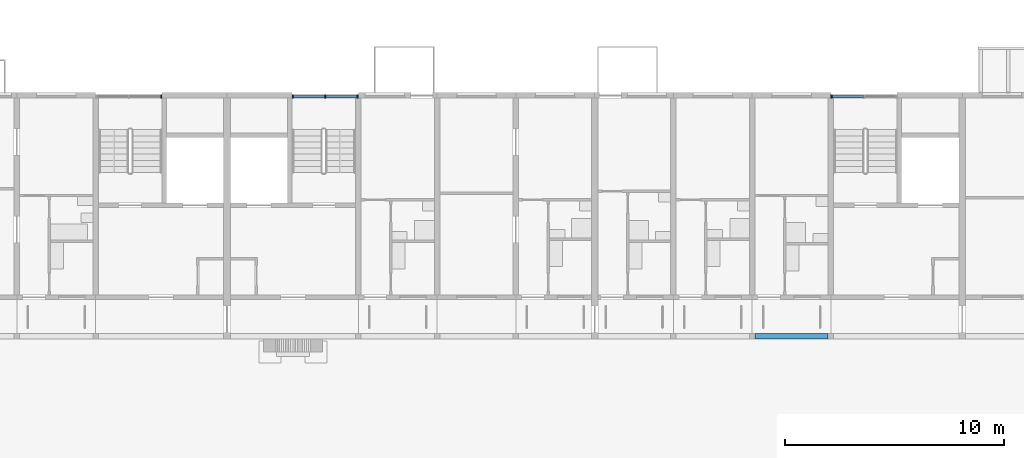
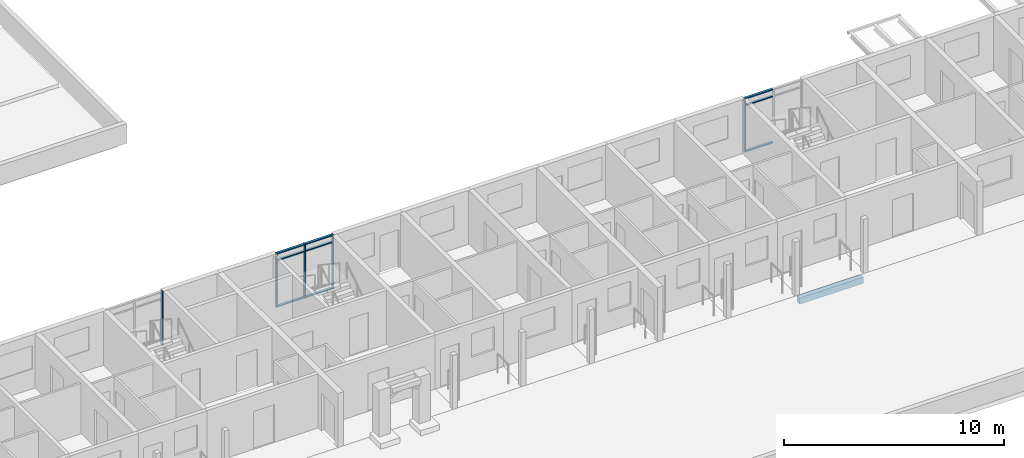
# One storey, part 21 of 115: 14 members, 1 beam, 3 elements without a shape of their own.
"""IFC4 building model written with IfcOpenShell, lengths in metres."""

from ifc_helpers import new_model, si_unit, direction, frame, origin, origin_2d, place, context, subcontext, project, spatial, rectangle, extrude, material, material_profile, profile_set, type_object, element, aggregate, save


model = new_model("IFC4")

# Units and contexts
model_context = context("Model", 3, precision=1e-05, world=origin(), true_north=direction((0.0, 1.0)))
body_context = subcontext(model_context, "Body", "Model", "MODEL_VIEW")
ifc_project = project(units=[si_unit("LENGTHUNIT", "METRE"), si_unit("AREAUNIT", "SQUARE_METRE"), si_unit("VOLUMEUNIT", "CUBIC_METRE"), si_unit("PLANEANGLEUNIT", "RADIAN"), si_unit("MASSUNIT", "GRAM", prefix="KILO")], contexts=[model_context])

# Site, building, storey
site_placement = place(None, origin())
site = spatial("IfcSite", under=ifc_project, at=site_placement, CompositionType="ELEMENT")
building_placement = place(site_placement, origin())
building = spatial("IfcBuilding", under=site, at=building_placement, Name="Ridgestep Commons", CompositionType="ELEMENT")
storey_placement = place(building_placement, frame((0.0, 0.0, 6.0)))
storey = spatial("IfcBuildingStorey", under=building, at=storey_placement, Name="L02", CompositionType="ELEMENT", Elevation=6.0)

# Beam
ifc_material_1 = material(Name="Precast concrete C40/50", Category="concrete")
ifc_material_profile_1 = material_profile(ifc_material_1, rectangle(XDim=0.25, YDim=0.35009765625, at=origin_2d()), Name="PC 250x350")
ifc_profile_set_1 = profile_set([ifc_material_profile_1], Name="Precast concrete C40/50")
beam_type = type_object("IfcBeamType", Name="Loggia edge beam 250 x 350", PredefinedType="SPANDREL", material=ifc_profile_set_1)
beam_placement = place(storey_placement, frame((187.72509765625, 11.875, -0.375), z_axis=(1.0, 0.0, 0.0), x_axis=(0.0, 1.0, 0.0)))
element("IfcBeam", 1, at=beam_placement, inside=storey, type_object=beam_type, Name="Loggia edge beam D3T3 L02", PredefinedType="SPANDREL", context=body_context, shape_type="SweptSolid", body=[
    extrude(rectangle(XDim=0.25, YDim=0.35009765625, at=origin_2d()), origin(), (0.0, 0.0, 1.0), 3.349853515625),
])

# Curtain wall, member
ifc_material_2 = material(Name="Aluminium 6063-T6 and glass", Category="aluminium")
curtain_wall_type = type_object("IfcCurtainWallType", Name="Curtain wall stair strip", PredefinedType="NOTDEFINED", material=ifc_material_2)
curtain_wall_1_placement = place(storey_placement, origin())
curtain_wall_1 = element("IfcCurtainWall", 2, at=curtain_wall_1_placement, inside=storey, type_object=curtain_wall_type, Name="Curtain wall D1C level 02", PredefinedType="NOTDEFINED")
ifc_material_3 = material(Name="Aluminium 6063-T6", Category="aluminium")
ifc_material_profile_2 = material_profile(ifc_material_3, rectangle(XDim=0.159912109375, YDim=0.06005859375, at=origin_2d()), Name="Mullion 60 x 160")
ifc_profile_set_2 = profile_set([ifc_material_profile_2], Name="Aluminium 6063-T6")
member_type_1 = type_object("IfcMemberType", Name="Mullion 60 x 160", PredefinedType="MULLION", material=ifc_profile_set_2)
member_1_placement = place(storey_placement, frame((160.594970703125, 22.830078125, 0.0), z_axis=(0.0, 0.0, 1.0), x_axis=(0.0, 1.0, 0.0)))
member_1 = element("IfcMember", 3, at=member_1_placement, type_object=member_type_1, Name="CW1 mullion 3", PredefinedType="MULLION", context=body_context, shape_type="SweptSolid", body=[
    extrude(rectangle(XDim=0.159912109375, YDim=0.06005859375, at=origin_2d()), origin(), (0.0, 0.0, 1.0), 3.0),
])
aggregate(curtain_wall_1, [member_1])

# Curtain wall, members
curtain_wall_2_placement = place(storey_placement, origin())
curtain_wall_2 = element("IfcCurtainWall", 4, at=curtain_wall_2_placement, inside=storey, type_object=curtain_wall_type, Name="Curtain wall D2C level 02", PredefinedType="NOTDEFINED")
member_2_placement = place(storey_placement, frame((166.60498046875, 22.830078125, 0.0), z_axis=(0.0, 0.0, 1.0), x_axis=(0.0, 1.0, 0.0)))
member_2 = element("IfcMember", 5, at=member_2_placement, type_object=member_type_1, Name="CW1 mullion 1", PredefinedType="MULLION", context=body_context, shape_type="SweptSolid", body=[
    extrude(rectangle(XDim=0.159912109375, YDim=0.06005859375, at=origin_2d()), origin(), (0.0, 0.0, 1.0), 3.0),
])
member_3_placement = place(storey_placement, frame((168.08740234375, 22.830078125, 0.0), z_axis=(0.0, 0.0, 1.0), x_axis=(0.0, 1.0, 0.0)))
member_3 = element("IfcMember", 6, at=member_3_placement, type_object=member_type_1, Name="CW1 mullion 2", PredefinedType="MULLION", context=body_context, shape_type="SweptSolid", body=[
    extrude(rectangle(XDim=0.159912109375, YDim=0.06005859375, at=origin_2d()), origin(), (0.0, 0.0, 1.0), 3.0),
])
member_4_placement = place(storey_placement, frame((169.570068359375, 22.830078125, 0.0), z_axis=(0.0, 0.0, 1.0), x_axis=(0.0, 1.0, 0.0)))
member_4 = element("IfcMember", 7, at=member_4_placement, type_object=member_type_1, Name="CW1 mullion 3", PredefinedType="MULLION", context=body_context, shape_type="SweptSolid", body=[
    extrude(rectangle(XDim=0.159912109375, YDim=0.06005859375, at=origin_2d()), origin(), (0.0, 0.0, 1.0), 3.0),
])

# Curtain wall, member
curtain_wall_3_placement = place(storey_placement, origin())
curtain_wall_3 = element("IfcCurtainWall", 8, at=curtain_wall_3_placement, inside=storey, type_object=curtain_wall_type, Name="Curtain wall D3C level 02", PredefinedType="NOTDEFINED")
member_5_placement = place(storey_placement, frame((191.22998046875, 22.830078125, 0.0), z_axis=(0.0, 0.0, 1.0), x_axis=(0.0, 1.0, 0.0)))
member_5 = element("IfcMember", 9, at=member_5_placement, type_object=member_type_1, Name="CW1 mullion 1", PredefinedType="MULLION", context=body_context, shape_type="SweptSolid", body=[
    extrude(rectangle(XDim=0.159912109375, YDim=0.06005859375, at=origin_2d()), origin(), (0.0, 0.0, 1.0), 3.0),
])

# Member
ifc_material_4 = material(Name="Aluminium 6063-T6", Category="aluminium")
ifc_material_profile_3 = material_profile(ifc_material_4, rectangle(XDim=0.1201171875, YDim=0.06005859375, at=origin_2d()), Name="Transom 60 x 120")
ifc_profile_set_3 = profile_set([ifc_material_profile_3], Name="Aluminium 6063-T6")
member_type_2 = type_object("IfcMemberType", Name="Transom 60 x 120", PredefinedType="USERDEFINED", material=ifc_profile_set_3)
member_6_placement = place(storey_placement, frame((166.635009765625, 22.830078125, 0.030029296875), z_axis=(1.0, 0.0, 0.0), x_axis=(0.0, 1.0, 0.0)))
member_6 = element("IfcMember", 10, at=member_6_placement, type_object=member_type_2, Name="CW1 transom 1.1", ObjectType="TRANSOM", PredefinedType="USERDEFINED", context=body_context, shape_type="SweptSolid", body=[
    extrude(rectangle(XDim=0.1201171875, YDim=0.06005859375, at=origin_2d()), origin(), (0.0, 0.0, 1.0), 1.422607421875),
])

member_7_placement = place(storey_placement, frame((166.635009765625, 22.830078125, 2.590087890625), z_axis=(1.0, 0.0, 0.0), x_axis=(0.0, 1.0, 0.0)))
member_7 = element("IfcMember", 11, at=member_7_placement, type_object=member_type_2, Name="CW1 transom 1.2", ObjectType="TRANSOM", PredefinedType="USERDEFINED", context=body_context, shape_type="SweptSolid", body=[
    extrude(rectangle(XDim=0.1201171875, YDim=0.06005859375, at=origin_2d()), origin(), (0.0, 0.0, 1.0), 1.422607421875),
])

member_8_placement = place(storey_placement, frame((166.635009765625, 22.830078125, 2.969970703125), z_axis=(1.0, 0.0, 0.0), x_axis=(0.0, 1.0, 0.0)))
member_8 = element("IfcMember", 12, at=member_8_placement, type_object=member_type_2, Name="CW1 transom 1.3", ObjectType="TRANSOM", PredefinedType="USERDEFINED", context=body_context, shape_type="SweptSolid", body=[
    extrude(rectangle(XDim=0.1201171875, YDim=0.06005859375, at=origin_2d()), origin(), (0.0, 0.0, 1.0), 1.422607421875),
])

member_9_placement = place(storey_placement, frame((168.117431640625, 22.830078125, 0.030029296875), z_axis=(1.0, 0.0, 0.0), x_axis=(0.0, 1.0, 0.0)))
member_9 = element("IfcMember", 13, at=member_9_placement, type_object=member_type_2, Name="CW1 transom 2.1", ObjectType="TRANSOM", PredefinedType="USERDEFINED", context=body_context, shape_type="SweptSolid", body=[
    extrude(rectangle(XDim=0.1201171875, YDim=0.06005859375, at=origin_2d()), origin(), (0.0, 0.0, 1.0), 1.422607421875),
])

member_10_placement = place(storey_placement, frame((168.117431640625, 22.830078125, 2.590087890625), z_axis=(1.0, 0.0, 0.0), x_axis=(0.0, 1.0, 0.0)))
member_10 = element("IfcMember", 14, at=member_10_placement, type_object=member_type_2, Name="CW1 transom 2.2", ObjectType="TRANSOM", PredefinedType="USERDEFINED", context=body_context, shape_type="SweptSolid", body=[
    extrude(rectangle(XDim=0.1201171875, YDim=0.06005859375, at=origin_2d()), origin(), (0.0, 0.0, 1.0), 1.422607421875),
])

member_11_placement = place(storey_placement, frame((168.117431640625, 22.830078125, 2.969970703125), z_axis=(1.0, 0.0, 0.0), x_axis=(0.0, 1.0, 0.0)))
member_11 = element("IfcMember", 15, at=member_11_placement, type_object=member_type_2, Name="CW1 transom 2.3", ObjectType="TRANSOM", PredefinedType="USERDEFINED", context=body_context, shape_type="SweptSolid", body=[
    extrude(rectangle(XDim=0.1201171875, YDim=0.06005859375, at=origin_2d()), origin(), (0.0, 0.0, 1.0), 1.422607421875),
])

aggregate(curtain_wall_2, [member_2, member_3, member_4, member_6, member_7, member_8, member_9, member_10, member_11])

member_12_placement = place(storey_placement, frame((191.260009765625, 22.830078125, 0.030029296875), z_axis=(1.0, 0.0, 0.0), x_axis=(0.0, 1.0, 0.0)))
member_12 = element("IfcMember", 16, at=member_12_placement, type_object=member_type_2, Name="CW1 transom 1.1", ObjectType="TRANSOM", PredefinedType="USERDEFINED", context=body_context, shape_type="SweptSolid", body=[
    extrude(rectangle(XDim=0.1201171875, YDim=0.06005859375, at=origin_2d()), origin(), (0.0, 0.0, 1.0), 1.422607421875),
])

member_13_placement = place(storey_placement, frame((191.260009765625, 22.830078125, 2.590087890625), z_axis=(1.0, 0.0, 0.0), x_axis=(0.0, 1.0, 0.0)))
member_13 = element("IfcMember", 17, at=member_13_placement, type_object=member_type_2, Name="CW1 transom 1.2", ObjectType="TRANSOM", PredefinedType="USERDEFINED", context=body_context, shape_type="SweptSolid", body=[
    extrude(rectangle(XDim=0.1201171875, YDim=0.06005859375, at=origin_2d()), origin(), (0.0, 0.0, 1.0), 1.422607421875),
])

member_14_placement = place(storey_placement, frame((191.260009765625, 22.830078125, 2.969970703125), z_axis=(1.0, 0.0, 0.0), x_axis=(0.0, 1.0, 0.0)))
member_14 = element("IfcMember", 18, at=member_14_placement, type_object=member_type_2, Name="CW1 transom 1.3", ObjectType="TRANSOM", PredefinedType="USERDEFINED", context=body_context, shape_type="SweptSolid", body=[
    extrude(rectangle(XDim=0.1201171875, YDim=0.06005859375, at=origin_2d()), origin(), (0.0, 0.0, 1.0), 1.422607421875),
])

aggregate(curtain_wall_3, [member_5, member_12, member_13, member_14])

save(model, "model.ifc")
